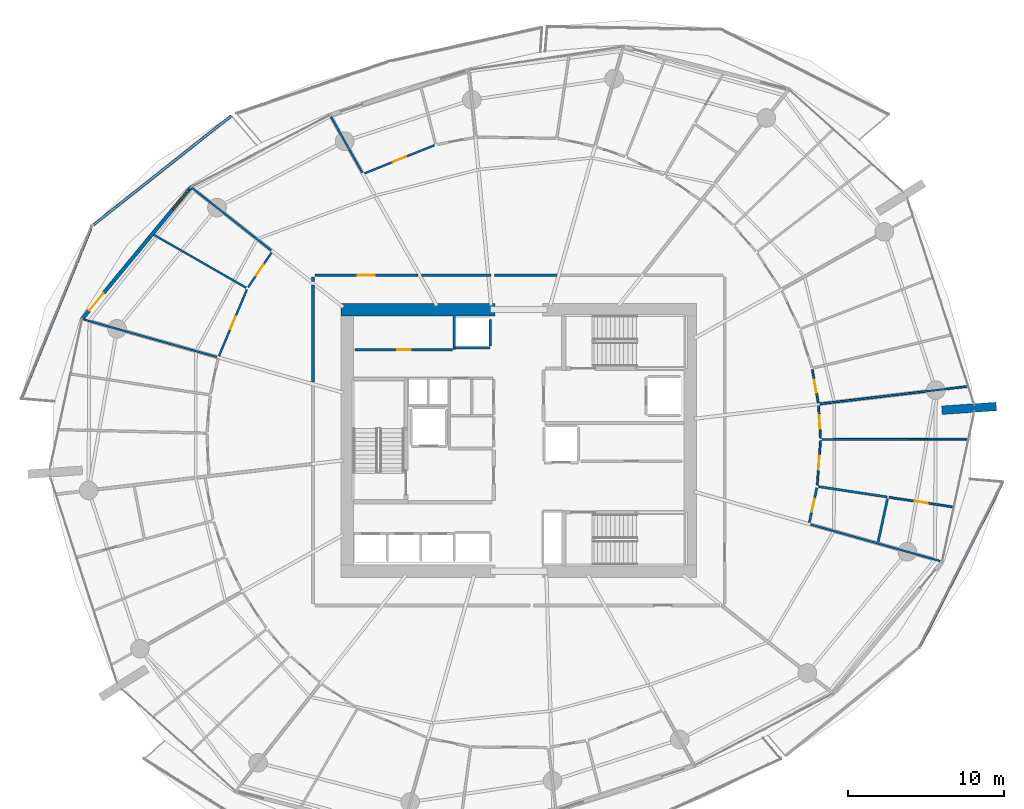
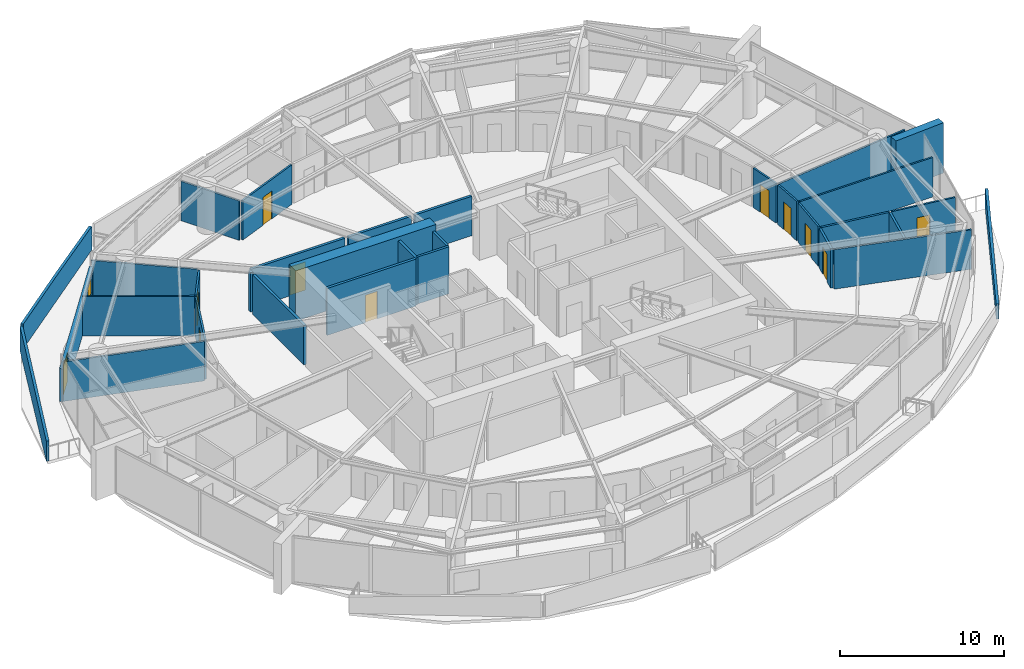
# One storey, part 14 of 23: 32 walls, 11 doors, 1 window, 12 openings.
"""IFC4 building model written with IfcOpenShell, lengths in metres."""

from ifc_helpers import new_model, si_unit, direction, frame, frame_2d, origin, place, context, subcontext, project, spatial, polyline, rectangle, outline, extrude, material, layer, layer_set, type_object, element, fill, save


model = new_model("IFC4")

# Units and contexts
model_context = context("Model", 3, precision=1e-05, world=origin(), true_north=direction((0.0, 1.0)))
body_context = subcontext(model_context, "Body", "Model", "MODEL_VIEW")
ifc_project = project(units=[si_unit("LENGTHUNIT", "METRE"), si_unit("AREAUNIT", "SQUARE_METRE"), si_unit("VOLUMEUNIT", "CUBIC_METRE"), si_unit("PLANEANGLEUNIT", "RADIAN"), si_unit("MASSUNIT", "GRAM", prefix="KILO")], contexts=[model_context])

# Site, building, storey
site_placement = place(None, origin())
site = spatial("IfcSite", under=ifc_project, at=site_placement, CompositionType="ELEMENT")
building_placement = place(site_placement, origin())
building = spatial("IfcBuilding", under=site, at=building_placement, Name="Kazma Halo Residences", CompositionType="ELEMENT")
storey_placement = place(building_placement, frame((0.0, 0.0, 108.89990234375)))
storey = spatial("IfcBuildingStorey", under=building, at=storey_placement, Name="L27", CompositionType="ELEMENT", Elevation=108.89990234375)

# Walls
ifc_material_1 = material(Name="White Concrete C50/60 Balustrade", Category="concrete")
ifc_layer_1 = layer(ifc_material_1, 0.179931640625)
ifc_layer_set_1 = layer_set([ifc_layer_1], Name="White Concrete C50/60 Balustrade")
wall_type_1 = type_object("IfcWallType", Name="WL-BAL-WAVE-180", PredefinedType="PARAPET", material=ifc_layer_set_1)
wall_1_placement = place(storey_placement, frame((29.96923828125, 62.851806640625, 0.0), z_axis=(0.0, 0.0, 1.0), x_axis=(-0.784321358075, -0.620354743084, 0.0)))
element("IfcWall", 1, at=wall_1_placement, inside=storey, type_object=wall_type_1, Name="L27 white wave balustrade wall NW.1", PredefinedType="PARAPET", context=body_context, shape_type="SweptSolid", body=[
    extrude(outline(polyline([(0.0, 0.0), (11.316162109375, 0.0), (11.316162109375, 1.83203125), (5.658203125, 1.85302734375), (0.0, 1.756103515625), (0.0, 0.0)])), frame((0.0, 0.08984375, 0.0), z_axis=(0.0, -1.0, 0.0), x_axis=(1.0, 0.0, 0.0)), (0.0, 0.0, 1.0), 0.179931640625),
])
wall_2_placement = place(storey_placement, frame((20.954345703125, 55.646240234375, 0.0), z_axis=(0.0, 0.0, 1.0), x_axis=(-0.378274271274, -0.925693564681, 0.0)))
element("IfcWall", 2, at=wall_2_placement, inside=storey, type_object=wall_type_1, Name="L27 white wave balustrade wall NW.2", PredefinedType="PARAPET", context=body_context, shape_type="SweptSolid", body=[
    extrude(outline(polyline([(0.0, 0.0), (11.8515625, 0.0), (11.8515625, 1.4970703125), (5.92578125, 1.696044921875), (0.0, 1.83203125), (0.0, 0.0)])), frame((0.0, 0.08984375, 0.0), z_axis=(0.0, -1.0, 0.0), x_axis=(1.0, 0.0, 0.0)), (0.0, 0.0, 1.0), 0.179931640625),
])
wall_3_placement = place(storey_placement, frame((74.1982421875, 28.7861328125, 0.0), z_axis=(0.0, 0.0, 1.0), x_axis=(0.450016241305, 0.893020370743, 0.0)))
element("IfcWall", 3, at=wall_3_placement, inside=storey, type_object=wall_type_1, Name="L27 white wave balustrade wall SE.2", PredefinedType="PARAPET", context=body_context, shape_type="SweptSolid", body=[
    extrude(outline(polyline([(0.0, 0.0), (11.802978515625, 0.0), (11.802978515625, 1.483154296875), (5.901611328125, 1.2841796875), (0.0, 1.148193359375), (0.0, 0.0)])), frame((0.0, 0.08984375, 0.0), z_axis=(0.0, -1.0, 0.0), x_axis=(1.0, 0.0, 0.0)), (0.0, 0.0, 1.0), 0.179931640625),
])
ifc_material_2 = material(Name="Pale Concrete C60/75", Category="concrete")
ifc_layer_2 = layer(ifc_material_2, 0.550048828125)
ifc_layer_set_2 = layer_set([ifc_layer_2], Name="Pale Concrete C60/75")
wall_type_2 = type_object("IfcWallType", Name="WL-BLADE-550", PredefinedType="SOLIDWALL", material=ifc_layer_set_2)
wall_4_placement = place(storey_placement, frame((75.606201171875, 43.930419921875, 0.0), z_axis=(0.0, 0.0, 1.0), x_axis=(0.997564163539, 0.069754853754, 0.0)))
element("IfcWall", 4, at=wall_4_placement, inside=storey, type_object=wall_type_2, Name="L27 pale concrete structural blade fin wall BW-04", PredefinedType="SOLIDWALL", context=body_context, shape_type="SweptSolid", body=[
    extrude(rectangle(XDim=3.5, YDim=0.550048828125, at=frame_2d((1.75, 0.0))), origin(), (0.0, 0.0, 1.0), 3.75),
])
ifc_material_3 = material(Name="Concrete C80/95", Category="concrete")
ifc_layer_3 = layer(ifc_material_3, 0.800048828125)
ifc_layer_set_3 = layer_set([ifc_layer_3], Name="Concrete C80/95")
wall_type_3 = type_object("IfcWallType", Name="WL-CORE-800", PredefinedType="SHEAR", material=ifc_layer_set_3)
wall_5_placement = place(storey_placement, frame((37.0, 50.39990234375, 0.0), z_axis=(0.0, 0.0, 1.0), x_axis=(1.0, 0.0, 0.0)))
element("IfcWall", 5, at=wall_5_placement, inside=storey, type_object=wall_type_3, Name="L27 central core shear wall NW", PredefinedType="SHEAR", context=body_context, shape_type="SweptSolid", body=[
    extrude(rectangle(XDim=9.89990234375, YDim=0.800048828125, at=frame_2d((4.949951171875, 0.0))), origin(), (0.0, 0.0, 1.0), 3.75),
])

# Wall, opening, door
ifc_material_4 = material(Name="Acoustic Twin-Stud Gypsum")
ifc_layer_4 = layer(ifc_material_4, 0.179931640625)
ifc_layer_set_4 = layer_set([ifc_layer_4], Name="Acoustic Twin-Stud Gypsum")
wall_type_4 = type_object("IfcWallType", Name="WL-DEM-180", PredefinedType="PARTITIONING", material=ifc_layer_set_4)
wall_6_placement = place(storey_placement, frame((41.943603515625, 52.60009765625, 0.0), z_axis=(0.0, 0.0, 1.0), x_axis=(-1.0, 0.0, 0.0)))
wall_6 = element("IfcWall", 6, at=wall_6_placement, inside=storey, type_object=wall_type_4, Name="L27 Apartment 1 entrance corridor wall", PredefinedType="PARTITIONING", context=body_context, shape_type="SweptSolid", body=[
    extrude(rectangle(XDim=6.62353515625, YDim=0.179931640625, at=frame_2d((3.311767578125, 0.0))), origin(), (0.0, 0.0, 1.0), 2.940185546875),
])
opening_1_placement = place(wall_6_placement, frame((2.76171875, 0.0, 0.0)))
opening_1 = element("IfcOpeningElement", 7, at=opening_1_placement, cuts=wall_6, Name="Opening DA-1100", PredefinedType="OPENING", context=body_context, shape_type="SweptSolid", body=[
    extrude(rectangle(XDim=1.10009765625, YDim=2.10009765625, at=frame_2d((0.550048828125, 1.050048828125))), frame((0.0, 0.099853515625, 0.0), z_axis=(0.0, -1.0, 0.0), x_axis=(1.0, 0.0, 0.0)), (0.0, 0.0, 1.0), 0.199951171875),
])
ifc_material_5 = material(Name="Acoustic Walnut Fire Leaf")
door_type_1 = type_object("IfcDoorType", Name="DR-FD60-1100", OperationType="NOTDEFINED", PredefinedType="DOOR", material=ifc_material_5)
door_1_placement = place(opening_1_placement, origin())
door_1 = element("IfcDoor", 8, at=door_1_placement, inside=storey, type_object=door_type_1, Name="L27 Apartment 1 entrance fire door", OperationType="SINGLE_SWING_LEFT", OverallHeight=2.10009765625, OverallWidth=1.10009765625, PredefinedType="DOOR", context=body_context, shape_type="SweptSolid", body=[
    extrude(rectangle(XDim=1.10009765625, YDim=2.10009765625, at=frame_2d((0.550048828125, 1.050048828125))), frame((0.0, 0.02490234375, 0.0), z_axis=(0.0, -1.0, 0.0), x_axis=(1.0, 0.0, 0.0)), (0.0, 0.0, 1.0), 0.050048828125),
])
fill(opening_1, door_1)

# Walls
wall_7_placement = place(storey_placement, frame((35.199951171875, 52.47998046875, 0.0), z_axis=(0.0, 0.0, 1.0), x_axis=(0.0, -1.0, 0.0)))
element("IfcWall", 9, at=wall_7_placement, inside=storey, type_object=wall_type_4, Name="L27 Apartment 1 entrance corridor wall", PredefinedType="PARTITIONING", context=body_context, shape_type="SweptSolid", body=[
    extrude(rectangle(XDim=0.269287109375, YDim=0.179931640625, at=frame_2d((0.134765625, 0.0))), origin(), (0.0, 0.0, 1.0), 2.940185546875),
])
wall_8_placement = place(storey_placement, frame((50.869384765625, 52.60009765625, 0.0), z_axis=(0.0, 0.0, 1.0), x_axis=(-1.0, 0.0, 0.0)))
element("IfcWall", 10, at=wall_8_placement, inside=storey, type_object=wall_type_4, Name="L27 Apartment 1 inner wall 2", PredefinedType="PARTITIONING", context=body_context, shape_type="SweptSolid", body=[
    extrude(rectangle(XDim=4.00390625, YDim=0.179931640625, at=frame_2d((2.001953125, 0.0))), origin(), (0.0, 0.0, 1.0), 2.940185546875),
])
wall_9_placement = place(storey_placement, frame((46.62548828125, 52.60009765625, 0.0), z_axis=(0.0, 0.0, 1.0), x_axis=(-1.0, 0.0, 0.0)))
element("IfcWall", 11, at=wall_9_placement, inside=storey, type_object=wall_type_4, Name="L27 Apartment 1 inner wall 3", PredefinedType="PARTITIONING", context=body_context, shape_type="SweptSolid", body=[
    extrude(rectangle(XDim=4.44189453125, YDim=0.179931640625, at=frame_2d((2.220947265625, 0.0))), origin(), (0.0, 0.0, 1.0), 2.940185546875),
])
wall_10_placement = place(storey_placement, frame((35.199951171875, 51.970703125, 0.0), z_axis=(0.0, 0.0, 1.0), x_axis=(0.0, -1.0, 0.0)))
element("IfcWall", 12, at=wall_10_placement, inside=storey, type_object=wall_type_4, Name="L27 Apartment 1 inner wall 5", PredefinedType="PARTITIONING", context=body_context, shape_type="SweptSolid", body=[
    extrude(rectangle(XDim=6.24072265625, YDim=0.179931640625, at=frame_2d((3.120361328125, 0.0))), origin(), (0.0, 0.0, 1.0), 2.940185546875),
])

# Wall, openings, door, window
ifc_material_6 = material(Name="Insulated Pale-Metal Composite Wall")
ifc_layer_5 = layer(ifc_material_6, 0.239990234375)
ifc_layer_set_5 = layer_set([ifc_layer_5], Name="Insulated Pale-Metal Composite Wall")
wall_type_5 = type_object("IfcWallType", Name="WL-EXT-HOST-240", PredefinedType="SOLIDWALL", material=ifc_layer_set_5)
wall_11_placement = place(storey_placement, frame((27.406982421875, 58.2978515625, 0.0), z_axis=(0.0, 0.0, 1.0), x_axis=(-0.636704975, -0.771107498868, 0.0)))
wall_11 = element("IfcWall", 13, at=wall_11_placement, inside=storey, type_object=wall_type_5, Name="L27 exterior terrace-access wall B06", PredefinedType="SOLIDWALL", context=body_context, shape_type="SweptSolid", body=[
    extrude(rectangle(XDim=11.084228515625, YDim=0.239990234375, at=frame_2d((5.5419921875, 0.0))), origin(), (0.0, 0.0, 1.0), 2.4501953125),
])
opening_2_placement = place(wall_11_placement, frame((8.8642578125, 0.0, 0.0)))
opening_2 = element("IfcOpeningElement", 14, at=opening_2_placement, cuts=wall_11, Name="Opening DTR-1600", PredefinedType="OPENING", context=body_context, shape_type="SweptSolid", body=[
    extrude(rectangle(XDim=1.449951171875, YDim=2.14990234375, at=frame_2d((0.72509765625, 1.074951171875))), frame((0.0, 0.1298828125, 0.0), z_axis=(0.0, -1.0, 0.0), x_axis=(1.0, 0.0, 0.0)), (0.0, 0.0, 1.0), 0.260009765625),
])
opening_3_placement = place(wall_11_placement, frame((0.280029296875, 0.0, 0.64990234375)))
opening_3 = element("IfcOpeningElement", 15, at=opening_3_placement, cuts=wall_11, Name="Opening W-1800", PredefinedType="OPENING", context=body_context, shape_type="SweptSolid", body=[
    extrude(rectangle(XDim=1.60009765625, YDim=1.5, at=frame_2d((0.800048828125, 0.75))), frame((0.0, 0.1298828125, 0.0), z_axis=(0.0, -1.0, 0.0), x_axis=(1.0, 0.0, 0.0)), (0.0, 0.0, 1.0), 0.260009765625),
])
ifc_material_7 = material(Name="Aluminium AW-6063 T6 Double-Glazed Terrace Door", Category="aluminium")
door_type_2 = type_object("IfcDoorType", Name="DR-EXT-TERR-1600", OperationType="NOTDEFINED", PredefinedType="DOOR", material=ifc_material_7)
door_2_placement = place(opening_2_placement, origin())
door_2 = element("IfcDoor", 16, at=door_2_placement, inside=storey, type_object=door_type_2, Name="L27 B06 balcony terrace door", OperationType="DOUBLE_DOOR_SLIDING", OverallHeight=2.14990234375, OverallWidth=1.449951171875, PredefinedType="DOOR", context=body_context, shape_type="SweptSolid", body=[
    extrude(rectangle(XDim=1.449951171875, YDim=2.14990234375, at=frame_2d((0.72509765625, 1.074951171875))), frame((0.0, 0.02490234375, 0.0), z_axis=(0.0, -1.0, 0.0), x_axis=(1.0, 0.0, 0.0)), (0.0, 0.0, 1.0), 0.050048828125),
])
fill(opening_2, door_2)
ifc_material_8 = material(Name="Clear Triple-Silver Low-E Glass in Aluminium AW-6063 T6 Frame", Category="aluminium")
window_type = type_object("IfcWindowType", Name="WIN-RES-1800", PartitioningType="DOUBLE_PANEL_VERTICAL", PredefinedType="WINDOW", material=ifc_material_8)
window_placement = place(opening_3_placement, origin())
window = element("IfcWindow", 17, at=window_placement, inside=storey, type_object=window_type, Name="L27 B06 apartment window", OverallHeight=1.5, OverallWidth=1.60009765625, PartitioningType="SINGLE_PANEL", PredefinedType="WINDOW", context=body_context, shape_type="SweptSolid", body=[
    extrude(rectangle(XDim=1.60009765625, YDim=1.5, at=frame_2d((0.800048828125, 0.75))), frame((0.0, 0.030029296875, 0.0), z_axis=(0.0, -1.0, 0.0), x_axis=(1.0, 0.0, 0.0)), (0.0, 0.0, 1.0), 0.06005859375),
])
fill(opening_3, window)

# Walls
ifc_material_9 = material(Name="Fire-Rated Blockwork Masonry", Category="masonry")
ifc_layer_6 = layer(ifc_material_9, 0.199951171875)
ifc_layer_set_6 = layer_set([ifc_layer_6], Name="Fire-Rated Blockwork Masonry")
wall_type_6 = type_object("IfcWallType", Name="WL-FLB-200", PredefinedType="PARTITIONING", material=ifc_layer_set_6)
wall_12_placement = place(storey_placement, frame((46.580078125, 47.945068359375, 0.0), z_axis=(0.0, 0.0, 1.0), x_axis=(-1.0, 0.0, 0.0)))
element("IfcWall", 18, at=wall_12_placement, inside=storey, type_object=wall_type_6, Name="L27 lift shaft PX-01 front wall", PredefinedType="PARTITIONING", context=body_context, shape_type="SweptSolid", body=[
    extrude(rectangle(XDim=2.260009765625, YDim=0.159912109375, at=frame_2d((1.1298828125, 0.0))), origin(), (0.0, 0.0, 1.0), 3.5),
])
wall_13_placement = place(storey_placement, frame((46.580078125, 48.044921875, 0.0), z_axis=(0.0, 0.0, 1.0), x_axis=(0.0, 1.0, 0.0)))
element("IfcWall", 19, at=wall_13_placement, inside=storey, type_object=wall_type_6, Name="L27 lift shaft PX-01 side wall E", PredefinedType="PARTITIONING", context=body_context, shape_type="SweptSolid", body=[
    extrude(rectangle(XDim=1.7099609375, YDim=0.159912109375, at=frame_2d((0.85498046875, 0.0))), origin(), (0.0, 0.0, 1.0), 3.5),
])

# Wall, opening, door
wall_14_placement = place(storey_placement, frame((37.919921875, 47.820068359375, 0.0), z_axis=(0.0, 0.0, 1.0), x_axis=(1.0, 0.0, 0.0)))
wall_14 = element("IfcWall", 20, at=wall_14_placement, inside=storey, type_object=wall_type_6, Name="L27 core north reserve wall", PredefinedType="PARTITIONING", context=body_context, shape_type="SweptSolid", body=[
    extrude(rectangle(XDim=6.260009765625, YDim=0.179931640625, at=frame_2d((3.1298828125, 0.0))), origin(), (0.0, 0.0, 1.0), 3.5),
])
opening_4_placement = place(wall_14_placement, frame((2.705078125, 0.0, 0.0)))
opening_4 = element("IfcOpeningElement", 21, at=opening_4_placement, cuts=wall_14, Name="Opening DS-850", PredefinedType="OPENING", context=body_context, shape_type="SweptSolid", body=[
    extrude(rectangle(XDim=0.85009765625, YDim=2.06005859375, at=frame_2d((0.425048828125, 1.030029296875))), frame((0.0, 0.099853515625, 0.0), z_axis=(0.0, -1.0, 0.0), x_axis=(1.0, 0.0, 0.0)), (0.0, 0.0, 1.0), 0.199951171875),
])
ifc_material_10 = material(Name="Painted Steel Access Leaf", Category="steel")
door_type_3 = type_object("IfcDoorType", Name="DR-SVC-850", OperationType="NOTDEFINED", PredefinedType="DOOR", material=ifc_material_10)
door_3_placement = place(opening_4_placement, origin())
door_3 = element("IfcDoor", 22, at=door_3_placement, inside=storey, type_object=door_type_3, Name="L27 core north reserve door", OperationType="SINGLE_SWING_LEFT", OverallHeight=2.06005859375, OverallWidth=0.85009765625, PredefinedType="DOOR", context=body_context, shape_type="SweptSolid", body=[
    extrude(rectangle(XDim=0.85009765625, YDim=2.06005859375, at=frame_2d((0.425048828125, 1.030029296875))), frame((0.0, 0.02490234375, 0.0), z_axis=(0.0, -1.0, 0.0), x_axis=(1.0, 0.0, 0.0)), (0.0, 0.0, 1.0), 0.050048828125),
])
fill(opening_4, door_3)

# Walls
wall_15_placement = place(storey_placement, frame((44.280029296875, 47.820068359375, 0.0), z_axis=(0.0, 0.0, 1.0), x_axis=(0.0, 1.0, 0.0)))
element("IfcWall", 23, at=wall_15_placement, inside=storey, type_object=wall_type_6, Name="L27 PX-01 hoistway west wall", PredefinedType="PARTITIONING", context=body_context, shape_type="SweptSolid", body=[
    extrude(rectangle(XDim=2.1298828125, YDim=0.179931640625, at=frame_2d((1.06494140625, 0.0))), origin(), (0.0, 0.0, 1.0), 3.5),
])
ifc_material_11 = material(Name="Gypsum Plasterboard Partition")
ifc_layer_7 = layer(ifc_material_11, 0.125)
ifc_layer_set_7 = layer_set([ifc_layer_7], Name="Gypsum Plasterboard Partition")
wall_type_7 = type_object("IfcWallType", Name="WL-PART-125", PredefinedType="PARTITIONING", material=ifc_layer_set_7)
wall_16_placement = place(storey_placement, frame((38.36962890625, 59.196044921875, 0.0), z_axis=(0.0, 0.0, 1.0), x_axis=(-0.488603368932, 0.87250601595, 0.0)))
element("IfcWall", 24, at=wall_16_placement, inside=storey, type_object=wall_type_7, Name="L27 Apartment 1 living radial partition 3", PredefinedType="PARTITIONING", context=body_context, shape_type="SweptSolid", body=[
    extrude(rectangle(XDim=4.11328125, YDim=0.125, at=frame_2d((2.056640625, 0.0))), origin(), (0.0, 0.0, 1.0), 2.940185546875),
])

# Wall, opening, door
wall_17_placement = place(storey_placement, frame((43.010009765625, 60.951904296875, 0.0), z_axis=(0.0, 0.0, 1.0), x_axis=(-0.9280140097, -0.372545296307, 0.0)))
wall_17 = element("IfcWall", 25, at=wall_17_placement, inside=storey, type_object=wall_type_7, Name="L27 Apartment 1 South Master Bedroom hall wall", PredefinedType="PARTITIONING", context=body_context, shape_type="SweptSolid", body=[
    extrude(rectangle(XDim=4.847412109375, YDim=0.125, at=frame_2d((2.423828125, 0.0))), origin(), (0.0, 0.0, 1.0), 2.940185546875),
])
opening_5_placement = place(wall_17_placement, frame((1.973876953125, 0.0, 0.0)))
opening_5 = element("IfcOpeningElement", 26, at=opening_5_placement, cuts=wall_17, Name="Opening DI-950", PredefinedType="OPENING", context=body_context, shape_type="SweptSolid", body=[
    extrude(rectangle(XDim=0.89990234375, YDim=2.080078125, at=frame_2d((0.449951171875, 1.0400390625))), frame((0.0, 0.072509765625, 0.0), z_axis=(0.0, -1.0, 0.0), x_axis=(1.0, 0.0, 0.0)), (0.0, 0.0, 1.0), 0.14501953125),
])
ifc_material_12 = material(Name="Timber Veneer Flush Leaf", Category="wood")
door_type_4 = type_object("IfcDoorType", Name="DR-INT-950", OperationType="NOTDEFINED", PredefinedType="DOOR", material=ifc_material_12)
door_4_placement = place(opening_5_placement, origin())
door_4 = element("IfcDoor", 27, at=door_4_placement, inside=storey, type_object=door_type_4, Name="L27 Apartment 1 South Master Bedroom door", OperationType="SINGLE_SWING_LEFT", OverallHeight=2.080078125, OverallWidth=0.89990234375, PredefinedType="DOOR", context=body_context, shape_type="SweptSolid", body=[
    extrude(rectangle(XDim=0.89990234375, YDim=2.080078125, at=frame_2d((0.449951171875, 1.0400390625))), frame((0.0, 0.02490234375, 0.0), z_axis=(0.0, -1.0, 0.0), x_axis=(1.0, 0.0, 0.0)), (0.0, 0.0, 1.0), 0.050048828125),
])
fill(opening_5, door_4)

# Walls
wall_18_placement = place(storey_placement, frame((32.522216796875, 54.20166015625, 0.0), z_axis=(0.0, 0.0, 1.0), x_axis=(-0.785296086335, 0.619120389574, 0.0)))
element("IfcWall", 28, at=wall_18_placement, inside=storey, type_object=wall_type_7, Name="L27 Apartment 1 radial partition 5", PredefinedType="PARTITIONING", context=body_context, shape_type="SweptSolid", body=[
    extrude(rectangle(XDim=6.529052734375, YDim=0.125, at=frame_2d((3.2646484375, 0.0))), origin(), (0.0, 0.0, 1.0), 2.940185546875),
])
wall_19_placement = place(storey_placement, frame((30.911865234375, 51.80029296875, 0.0), z_axis=(0.0, 0.0, 1.0), x_axis=(-0.867452705788, 0.497519651091, 0.0)))
element("IfcWall", 29, at=wall_19_placement, inside=storey, type_object=wall_type_7, Name="L27 Apartment 1 mid-bay wall 5", PredefinedType="PARTITIONING", context=body_context, shape_type="SweptSolid", body=[
    extrude(rectangle(XDim=6.81396484375, YDim=0.125, at=frame_2d((3.406982421875, 0.0))), origin(), (0.0, 0.0, 1.0), 2.940185546875),
])

# Wall, opening, door
wall_20_placement = place(storey_placement, frame((32.544677734375, 54.056884765625, 0.0), z_axis=(0.0, 0.0, 1.0), x_axis=(-0.559849013212, -0.828594642998, 0.0)))
wall_20 = element("IfcWall", 30, at=wall_20_placement, inside=storey, type_object=wall_type_7, Name="L27 Apartment 1 Inner Bedroom hall wall", PredefinedType="PARTITIONING", context=body_context, shape_type="SweptSolid", body=[
    extrude(rectangle(XDim=2.697265625, YDim=0.125, at=frame_2d((1.3486328125, 0.0))), origin(), (0.0, 0.0, 1.0), 2.940185546875),
])
opening_6_placement = place(wall_20_placement, frame((0.923583984375, 0.0, 0.0)))
opening_6 = element("IfcOpeningElement", 31, at=opening_6_placement, cuts=wall_20, Name="Opening DB-900", PredefinedType="OPENING", context=body_context, shape_type="SweptSolid", body=[
    extrude(rectangle(XDim=0.85009765625, YDim=2.06005859375, at=frame_2d((0.425048828125, 1.030029296875))), frame((0.0, 0.072509765625, 0.0), z_axis=(0.0, -1.0, 0.0), x_axis=(1.0, 0.0, 0.0)), (0.0, 0.0, 1.0), 0.14501953125),
])
ifc_material_13 = material(Name="Moisture-Sealed Timber Leaf", Category="wood")
door_type_5 = type_object("IfcDoorType", Name="DR-BTH-900", OperationType="NOTDEFINED", PredefinedType="DOOR", material=ifc_material_13)
door_5_placement = place(opening_6_placement, origin())
door_5 = element("IfcDoor", 32, at=door_5_placement, inside=storey, type_object=door_type_5, Name="L27 Apartment 1 Inner Bedroom door", OperationType="SINGLE_SWING_LEFT", OverallHeight=2.06005859375, OverallWidth=0.85009765625, PredefinedType="DOOR", context=body_context, shape_type="SweptSolid", body=[
    extrude(rectangle(XDim=0.85009765625, YDim=2.06005859375, at=frame_2d((0.425048828125, 1.030029296875))), frame((0.0, 0.02490234375, 0.0), z_axis=(0.0, -1.0, 0.0), x_axis=(1.0, 0.0, 0.0)), (0.0, 0.0, 1.0), 0.050048828125),
])
fill(opening_6, door_5)

wall_21_placement = place(storey_placement, frame((30.958984375, 51.681884765625, 0.0), z_axis=(0.0, 0.0, 1.0), x_axis=(-0.387377754923, -0.921921078505, 0.0)))
wall_21 = element("IfcWall", 33, at=wall_21_placement, inside=storey, type_object=wall_type_7, Name="L27 Apartment 1 Outer Master Bedroom hall wall", PredefinedType="PARTITIONING", context=body_context, shape_type="SweptSolid", body=[
    extrude(rectangle(XDim=4.62841796875, YDim=0.125, at=frame_2d((2.314208984375, 0.0))), origin(), (0.0, 0.0, 1.0), 2.940185546875),
])
opening_7_placement = place(wall_21_placement, frame((1.8642578125, 0.0, 0.0)))
opening_7 = element("IfcOpeningElement", 34, at=opening_7_placement, cuts=wall_21, Name="Opening DI-950", PredefinedType="OPENING", context=body_context, shape_type="SweptSolid", body=[
    extrude(rectangle(XDim=0.89990234375, YDim=2.080078125, at=frame_2d((0.449951171875, 1.0400390625))), frame((0.0, 0.072509765625, 0.0), z_axis=(0.0, -1.0, 0.0), x_axis=(1.0, 0.0, 0.0)), (0.0, 0.0, 1.0), 0.14501953125),
])
door_6_placement = place(opening_7_placement, origin())
door_6 = element("IfcDoor", 35, at=door_6_placement, inside=storey, type_object=door_type_4, Name="L27 Apartment 1 Outer Master Bedroom door", OperationType="SINGLE_SWING_RIGHT", OverallHeight=2.080078125, OverallWidth=0.89990234375, PredefinedType="DOOR", context=body_context, shape_type="SweptSolid", body=[
    extrude(rectangle(XDim=0.89990234375, YDim=2.080078125, at=frame_2d((0.449951171875, 1.0400390625))), frame((0.0, 0.02490234375, 0.0), z_axis=(0.0, -1.0, 0.0), x_axis=(1.0, 0.0, 0.0)), (0.0, 0.0, 1.0), 0.050048828125),
])
fill(opening_7, door_6)

# Walls
wall_22_placement = place(storey_placement, frame((29.031005859375, 47.349853515625, 0.0), z_axis=(0.0, 0.0, 1.0), x_axis=(-0.962455027906, 0.271441189317, 0.0)))
element("IfcWall", 36, at=wall_22_placement, inside=storey, type_object=wall_type_7, Name="L27 Apartment 1 radial partition 6", PredefinedType="PARTITIONING", context=body_context, shape_type="SweptSolid", body=[
    extrude(rectangle(XDim=8.862060546875, YDim=0.125, at=frame_2d((4.43115234375, 0.0))), origin(), (0.0, 0.0, 1.0), 2.940185546875),
])
wall_23_placement = place(storey_placement, frame((67.164306640625, 36.59521484375, 0.0), z_axis=(0.0, 0.0, 1.0), x_axis=(0.962450431501, -0.271457486363, 0.0)))
element("IfcWall", 37, at=wall_23_placement, inside=storey, type_object=wall_type_7, Name="L27 Apartment 3 radial partition 14", PredefinedType="PARTITIONING", context=body_context, shape_type="SweptSolid", body=[
    extrude(rectangle(XDim=8.6591796875, YDim=0.125, at=frame_2d((4.32958984375, 0.0))), origin(), (0.0, 0.0, 1.0), 2.940185546875),
])

# Wall, opening, door
wall_24_placement = place(storey_placement, frame((72.217041015625, 38.339599609375, 0.0), z_axis=(0.0, 0.0, 1.0), x_axis=(0.988773178852, -0.149424230908, 0.0)))
wall_24 = element("IfcWall", 38, at=wall_24_placement, inside=storey, type_object=wall_type_7, Name="L27 Apartment 3 Utility Laundry Room partition wall", PredefinedType="PARTITIONING", context=body_context, shape_type="SweptSolid", body=[
    extrude(rectangle(XDim=4.174560546875, YDim=0.125, at=frame_2d((2.08740234375, 0.0))), origin(), (0.0, 0.0, 1.0), 2.940185546875),
])
opening_8_placement = place(wall_24_placement, frame((1.662353515625, 0.0, 0.0)))
opening_8 = element("IfcOpeningElement", 39, at=opening_8_placement, cuts=wall_24, Name="Opening DB-900", PredefinedType="OPENING", context=body_context, shape_type="SweptSolid", body=[
    extrude(rectangle(XDim=0.85009765625, YDim=2.06005859375, at=frame_2d((0.425048828125, 1.030029296875))), frame((0.0, 0.072509765625, 0.0), z_axis=(0.0, -1.0, 0.0), x_axis=(1.0, 0.0, 0.0)), (0.0, 0.0, 1.0), 0.14501953125),
])
door_7_placement = place(opening_8_placement, origin())
door_7 = element("IfcDoor", 40, at=door_7_placement, inside=storey, type_object=door_type_5, Name="L27 Apartment 3 Utility Laundry Room door", OperationType="SINGLE_SWING_LEFT", OverallHeight=2.06005859375, OverallWidth=0.85009765625, PredefinedType="DOOR", context=body_context, shape_type="SweptSolid", body=[
    extrude(rectangle(XDim=0.85009765625, YDim=2.06005859375, at=frame_2d((0.425048828125, 1.030029296875))), frame((0.0, 0.02490234375, 0.0), z_axis=(0.0, -1.0, 0.0), x_axis=(1.0, 0.0, 0.0)), (0.0, 0.0, 1.0), 0.050048828125),
])
fill(opening_8, door_7)

# Wall
wall_25_placement = place(storey_placement, frame((67.90185546875, 42.052490234375, 0.0), z_axis=(0.0, 0.0, 1.0), x_axis=(0.999996474941, 0.002655203448, 0.0)))
element("IfcWall", 41, at=wall_25_placement, inside=storey, type_object=wall_type_7, Name="L27 Apartment 3 suite divider 14", PredefinedType="PARTITIONING", context=body_context, shape_type="SweptSolid", body=[
    extrude(rectangle(XDim=9.378662109375, YDim=0.125, at=frame_2d((4.689453125, 0.0))), origin(), (0.0, 0.0, 1.0), 2.940185546875),
])

# Wall, opening, door
wall_26_placement = place(storey_placement, frame((67.59619140625, 39.12890625, 0.0), z_axis=(0.0, 0.0, 1.0), x_axis=(0.073546842806, 0.997291763685, 0.0)))
wall_26 = element("IfcWall", 42, at=wall_26_placement, inside=storey, type_object=wall_type_7, Name="L27 Apartment 3 Gourmet Kitchen hall wall", PredefinedType="PARTITIONING", context=body_context, shape_type="SweptSolid", body=[
    extrude(rectangle(XDim=2.8515625, YDim=0.125, at=frame_2d((1.42578125, 0.0))), origin(), (0.0, 0.0, 1.0), 2.940185546875),
])
opening_9_placement = place(wall_26_placement, frame((1.000732421875, 0.0, 0.0)))
opening_9 = element("IfcOpeningElement", 43, at=opening_9_placement, cuts=wall_26, Name="Opening DB-900", PredefinedType="OPENING", context=body_context, shape_type="SweptSolid", body=[
    extrude(rectangle(XDim=0.85009765625, YDim=2.06005859375, at=frame_2d((0.425048828125, 1.030029296875))), frame((0.0, 0.072509765625, 0.0), z_axis=(0.0, -1.0, 0.0), x_axis=(1.0, 0.0, 0.0)), (0.0, 0.0, 1.0), 0.14501953125),
])
door_8_placement = place(opening_9_placement, origin())
door_8 = element("IfcDoor", 44, at=door_8_placement, inside=storey, type_object=door_type_5, Name="L27 Apartment 3 Gourmet Kitchen door", OperationType="SINGLE_SWING_RIGHT", OverallHeight=2.06005859375, OverallWidth=0.85009765625, PredefinedType="DOOR", context=body_context, shape_type="SweptSolid", body=[
    extrude(rectangle(XDim=0.85009765625, YDim=2.06005859375, at=frame_2d((0.425048828125, 1.030029296875))), frame((0.0, 0.02490234375, 0.0), z_axis=(0.0, -1.0, 0.0), x_axis=(1.0, 0.0, 0.0)), (0.0, 0.0, 1.0), 0.050048828125),
])
fill(opening_9, door_8)

wall_27_placement = place(storey_placement, frame((67.80712890625, 42.13232421875, 0.0), z_axis=(0.0, 0.0, 1.0), x_axis=(-0.060207300142, 0.998185895016, 0.0)))
wall_27 = element("IfcWall", 45, at=wall_27_placement, inside=storey, type_object=wall_type_7, Name="L27 Apartment 3 Primary Bedroom hall wall", PredefinedType="PARTITIONING", context=body_context, shape_type="SweptSolid", body=[
    extrude(rectangle(XDim=2.1005859375, YDim=0.125, at=frame_2d((1.05029296875, 0.0))), origin(), (0.0, 0.0, 1.0), 2.940185546875),
])
opening_10_placement = place(wall_27_placement, frame((0.625244140625, 0.0, 0.0)))
opening_10 = element("IfcOpeningElement", 46, at=opening_10_placement, cuts=wall_27, Name="Opening DB-900", PredefinedType="OPENING", context=body_context, shape_type="SweptSolid", body=[
    extrude(rectangle(XDim=0.85009765625, YDim=2.06005859375, at=frame_2d((0.425048828125, 1.030029296875))), frame((0.0, 0.072509765625, 0.0), z_axis=(0.0, -1.0, 0.0), x_axis=(1.0, 0.0, 0.0)), (0.0, 0.0, 1.0), 0.14501953125),
])
door_9_placement = place(opening_10_placement, origin())
door_9 = element("IfcDoor", 47, at=door_9_placement, inside=storey, type_object=door_type_5, Name="L27 Apartment 3 Primary Bedroom door", OperationType="SINGLE_SWING_LEFT", OverallHeight=2.06005859375, OverallWidth=0.85009765625, PredefinedType="DOOR", context=body_context, shape_type="SweptSolid", body=[
    extrude(rectangle(XDim=0.85009765625, YDim=2.06005859375, at=frame_2d((0.425048828125, 1.030029296875))), frame((0.0, 0.02490234375, 0.0), z_axis=(0.0, -1.0, 0.0), x_axis=(1.0, 0.0, 0.0)), (0.0, 0.0, 1.0), 0.050048828125),
])
fill(opening_10, door_9)

# Wall
wall_28_placement = place(storey_placement, frame((67.77392578125, 44.340576171875, 0.0), z_axis=(0.0, 0.0, 1.0), x_axis=(0.993071471329, 0.117511926341, 0.0)))
element("IfcWall", 48, at=wall_28_placement, inside=storey, type_object=wall_type_7, Name="L27 Apartment 3 radial partition 15", PredefinedType="PARTITIONING", context=body_context, shape_type="SweptSolid", body=[
    extrude(rectangle(XDim=9.5673828125, YDim=0.125, at=frame_2d((4.78369140625, 0.0))), origin(), (0.0, 0.0, 1.0), 2.940185546875),
])

# Wall, opening, door
wall_29_placement = place(storey_placement, frame((67.66064453125, 44.407470703125, 0.0), z_axis=(0.0, 0.0, 1.0), x_axis=(-0.17575952255, 0.984433131418, 0.0)))
wall_29 = element("IfcWall", 49, at=wall_29_placement, inside=storey, type_object=wall_type_7, Name="L27 Apartment 3 Primary Bedroom hall wall", PredefinedType="PARTITIONING", context=body_context, shape_type="SweptSolid", body=[
    extrude(rectangle(XDim=2.172607421875, YDim=0.125, at=frame_2d((1.08642578125, 0.0))), origin(), (0.0, 0.0, 1.0), 2.940185546875),
])
opening_11_placement = place(wall_29_placement, frame((0.661376953125, 0.0, 0.0)))
opening_11 = element("IfcOpeningElement", 50, at=opening_11_placement, cuts=wall_29, Name="Opening DB-900", PredefinedType="OPENING", context=body_context, shape_type="SweptSolid", body=[
    extrude(rectangle(XDim=0.85009765625, YDim=2.06005859375, at=frame_2d((0.425048828125, 1.030029296875))), frame((0.0, 0.072509765625, 0.0), z_axis=(0.0, -1.0, 0.0), x_axis=(1.0, 0.0, 0.0)), (0.0, 0.0, 1.0), 0.14501953125),
])
door_10_placement = place(opening_11_placement, origin())
door_10 = element("IfcDoor", 51, at=door_10_placement, inside=storey, type_object=door_type_5, Name="L27 Apartment 3 Primary Bedroom door", OperationType="SINGLE_SWING_RIGHT", OverallHeight=2.06005859375, OverallWidth=0.85009765625, PredefinedType="DOOR", context=body_context, shape_type="SweptSolid", body=[
    extrude(rectangle(XDim=0.85009765625, YDim=2.06005859375, at=frame_2d((0.425048828125, 1.030029296875))), frame((0.0, 0.02490234375, 0.0), z_axis=(0.0, -1.0, 0.0), x_axis=(1.0, 0.0, 0.0)), (0.0, 0.0, 1.0), 0.050048828125),
])
fill(opening_11, door_10)

ifc_material_14 = material(Name="Moisture-Resistant Gypsum")
ifc_layer_8 = layer(ifc_material_14, 0.14990234375)
ifc_layer_set_8 = layer_set([ifc_layer_8], Name="Moisture-Resistant Gypsum")
wall_type_8 = type_object("IfcWallType", Name="WL-WET-150", PredefinedType="PARTITIONING", material=ifc_layer_set_8)
wall_30_placement = place(storey_placement, frame((67.08935546875, 36.719970703125, 0.0), z_axis=(0.0, 0.0, 1.0), x_axis=(0.210821839733, 0.977524501939, 0.0)))
wall_30 = element("IfcWall", 52, at=wall_30_placement, inside=storey, type_object=wall_type_8, Name="L27 Apartment 3 Guest Bathroom hall wall", PredefinedType="PARTITIONING", context=body_context, shape_type="SweptSolid", body=[
    extrude(rectangle(XDim=2.282470703125, YDim=0.14990234375, at=frame_2d((1.14111328125, 0.0))), origin(), (0.0, 0.0, 1.0), 2.940185546875),
])
opening_12_placement = place(wall_30_placement, frame((0.71630859375, 0.0, 0.0)))
opening_12 = element("IfcOpeningElement", 53, at=opening_12_placement, cuts=wall_30, Name="Opening DB-900", PredefinedType="OPENING", context=body_context, shape_type="SweptSolid", body=[
    extrude(rectangle(XDim=0.85009765625, YDim=2.06005859375, at=frame_2d((0.425048828125, 1.030029296875))), frame((0.0, 0.0849609375, 0.0), z_axis=(0.0, -1.0, 0.0), x_axis=(1.0, 0.0, 0.0)), (0.0, 0.0, 1.0), 0.169921875),
])
door_11_placement = place(opening_12_placement, origin())
door_11 = element("IfcDoor", 54, at=door_11_placement, inside=storey, type_object=door_type_5, Name="L27 Apartment 3 Guest Bathroom door", OperationType="SINGLE_SWING_RIGHT", OverallHeight=2.06005859375, OverallWidth=0.85009765625, PredefinedType="DOOR", context=body_context, shape_type="SweptSolid", body=[
    extrude(rectangle(XDim=0.85009765625, YDim=2.06005859375, at=frame_2d((0.425048828125, 1.030029296875))), frame((0.0, 0.02490234375, 0.0), z_axis=(0.0, -1.0, 0.0), x_axis=(1.0, 0.0, 0.0)), (0.0, 0.0, 1.0), 0.050048828125),
])
fill(opening_12, door_11)

# Walls
wall_31_placement = place(storey_placement, frame((71.5068359375, 35.47412109375, 0.0), z_axis=(0.0, 0.0, 1.0), x_axis=(0.210860301297, 0.977516206176, 0.0)))
element("IfcWall", 55, at=wall_31_placement, inside=storey, type_object=wall_type_8, Name="L27 Apartment 3 Guest Bathroom back wall", PredefinedType="PARTITIONING", context=body_context, shape_type="SweptSolid", body=[
    extrude(rectangle(XDim=2.855224609375, YDim=0.14990234375, at=frame_2d((1.427734375, 0.0))), origin(), (0.0, 0.0, 1.0), 2.940185546875),
])
wall_32_placement = place(storey_placement, frame((67.678466796875, 39.025634765625, 0.0), z_axis=(0.0, 0.0, 1.0), x_axis=(0.988770717544, -0.149440517018, 0.0)))
element("IfcWall", 56, at=wall_32_placement, inside=storey, type_object=wall_type_8, Name="L27 Apartment 3 Guest Bathroom side wall", PredefinedType="PARTITIONING", context=body_context, shape_type="SweptSolid", body=[
    extrude(rectangle(XDim=4.4599609375, YDim=0.14990234375, at=frame_2d((2.22998046875, 0.0))), origin(), (0.0, 0.0, 1.0), 2.940185546875),
])

save(model, "model.ifc")
